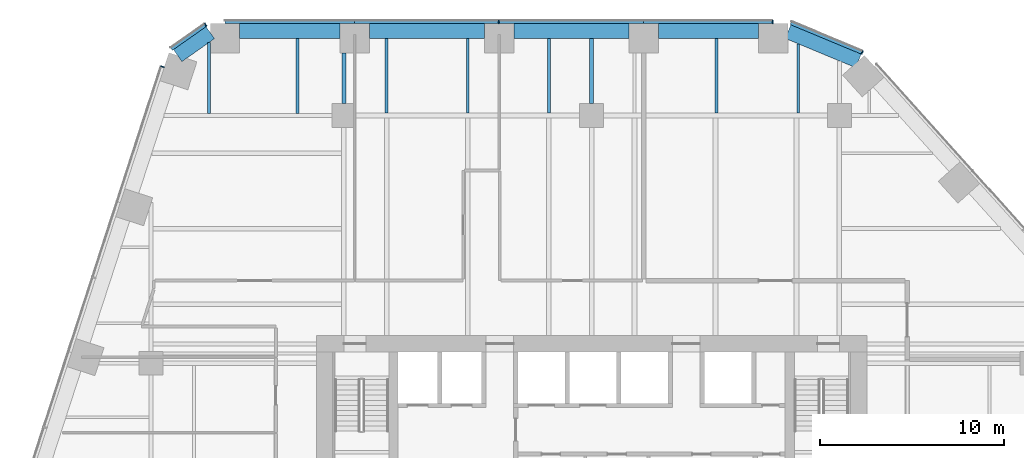
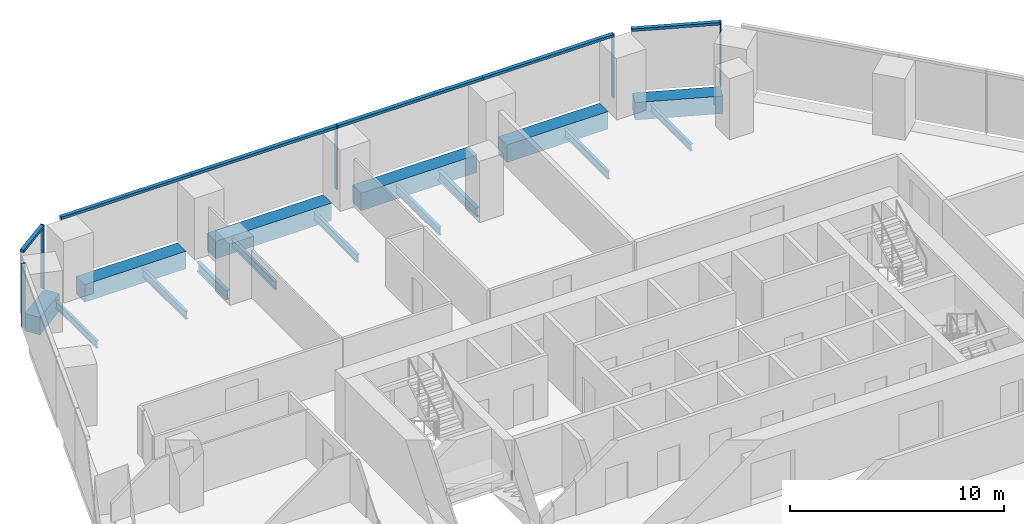
# One storey, part 12 of 19: 15 beams, 11 members, 4 elements without a shape of their own.
"""IFC4 building model written with IfcOpenShell, lengths in metres."""

from ifc_helpers import new_model, si_unit, direction, frame, origin, origin_2d, place, context, subcontext, project, spatial, rectangle, i_section, extrude, material, layer, layer_set, material_profile, profile_set, type_object, element, aggregate, save


model = new_model("IFC4")

# Units and contexts
model_context = context("Model", 3, precision=1e-05, world=origin(), true_north=direction((0.0, 1.0)))
body_context = subcontext(model_context, "Body", "Model", "MODEL_VIEW")
ifc_project = project(units=[si_unit("LENGTHUNIT", "METRE"), si_unit("AREAUNIT", "SQUARE_METRE"), si_unit("VOLUMEUNIT", "CUBIC_METRE"), si_unit("PLANEANGLEUNIT", "RADIAN"), si_unit("MASSUNIT", "GRAM", prefix="KILO")], contexts=[model_context])

# Site, building, storey
site_placement = place(None, origin())
site = spatial("IfcSite", under=ifc_project, at=site_placement, CompositionType="ELEMENT")
building_placement = place(site_placement, origin())
building = spatial("IfcBuilding", under=site, at=building_placement, Name="Isthmus Gate Tower", CompositionType="ELEMENT")
storey_placement = place(building_placement, frame((0.0, 0.0, 95.25)))
storey = spatial("IfcBuildingStorey", under=building, at=storey_placement, Name="L22", CompositionType="ELEMENT", Elevation=95.25)

# Curtain wall, members
ifc_material_1 = material(Name="Aluminium, pale champagne anodised", Category="aluminium")
ifc_layer = layer(ifc_material_1, 0.199951171875)
ifc_layer_set = layer_set([ifc_layer], Name="CW-1 UNITISED CURTAIN WALL 200 DEEP")
curtain_wall_type = type_object("IfcCurtainWallType", Name="CW-1 UNITISED CURTAIN WALL 200 DEEP", PredefinedType="NOTDEFINED", material=ifc_layer_set)
curtain_wall_1_placement = place(storey_placement, origin())
curtain_wall_1 = element("IfcCurtainWall", 1, at=curtain_wall_1_placement, inside=storey, type_object=curtain_wall_type, Name="CW-1 N L22", PredefinedType="NOTDEFINED")
ifc_material_2 = material(Name="Aluminium, pale champagne anodised", Category="aluminium")
ifc_material_profile_1 = material_profile(ifc_material_2, rectangle(XDim=0.06005859375, YDim=0.199951171875, at=origin_2d()), Name="60x200")
ifc_profile_set_1 = profile_set([ifc_material_profile_1], Name="Aluminium, pale champagne anodised")
member_type_1 = type_object("IfcMemberType", Name="CW-1 MULLION 60 X 200", PredefinedType="MULLION", material=ifc_profile_set_1)
member_1_placement = place(storey_placement, frame((9.871826171875, 32.10009765625, 0.0), z_axis=(0.0, 0.0, 1.0), x_axis=(-1.0, 0.0, 0.0)))
member_1 = element("IfcMember", 2, at=member_1_placement, type_object=member_type_1, Name="CW-1 mullion", PredefinedType="MULLION", context=body_context, shape_type="SweptSolid", body=[
    extrude(rectangle(XDim=0.06005859375, YDim=0.199951171875, at=origin_2d()), origin(), (0.0, 0.0, 1.0), 3.64990234375),
])
member_2_placement = place(storey_placement, frame((-5.067138671875, 32.10009765625, 0.0), z_axis=(0.0, 0.0, 1.0), x_axis=(-1.0, 0.0, 0.0)))
member_2 = element("IfcMember", 3, at=member_2_placement, type_object=member_type_1, Name="CW-1 mullion", PredefinedType="MULLION", context=body_context, shape_type="SweptSolid", body=[
    extrude(rectangle(XDim=0.06005859375, YDim=0.199951171875, at=origin_2d()), origin(), (0.0, 0.0, 1.0), 3.64990234375),
])

# Curtain wall, member
curtain_wall_2_placement = place(storey_placement, origin())
curtain_wall_2 = element("IfcCurtainWall", 4, at=curtain_wall_2_placement, inside=storey, type_object=curtain_wall_type, Name="CW-1 N-NW L22", PredefinedType="NOTDEFINED")
member_3_placement = place(storey_placement, frame((-21.031005859375, 31.943115234375, 0.0), z_axis=(0.0, 0.0, 1.0), x_axis=(-0.81785959165, -0.57541783805, 0.0)))
member_3 = element("IfcMember", 5, at=member_3_placement, type_object=member_type_1, Name="CW-1 mullion", PredefinedType="MULLION", context=body_context, shape_type="SweptSolid", body=[
    extrude(rectangle(XDim=0.06005859375, YDim=0.199951171875, at=origin_2d()), origin(), (0.0, 0.0, 1.0), 3.64990234375),
])

curtain_wall_3_placement = place(storey_placement, origin())
curtain_wall_3 = element("IfcCurtainWall", 6, at=curtain_wall_3_placement, inside=storey, type_object=curtain_wall_type, Name="CW-1 NW L22", PredefinedType="NOTDEFINED")
member_4_placement = place(storey_placement, frame((-23.380615234375, 29.656494140625, 0.0), z_axis=(0.0, 0.0, 1.0), x_axis=(-0.309016994375, -0.951056516295, 0.0)))
member_4 = element("IfcMember", 7, at=member_4_placement, type_object=member_type_1, Name="CW-1 mullion", PredefinedType="MULLION", context=body_context, shape_type="SweptSolid", body=[
    extrude(rectangle(XDim=0.06005859375, YDim=0.199951171875, at=origin_2d()), origin(), (0.0, 0.0, 1.0), 3.64990234375),
])
aggregate(curtain_wall_3, [member_4])

curtain_wall_4_placement = place(storey_placement, origin())
curtain_wall_4 = element("IfcCurtainWall", 8, at=curtain_wall_4_placement, inside=storey, type_object=curtain_wall_type, Name="CW-1 NE-N L22", PredefinedType="NOTDEFINED")
member_5_placement = place(storey_placement, frame((14.744140625, 30.427490234375, 0.0), z_axis=(0.0, 0.0, 1.0), x_axis=(-0.923353128387, 0.383951820282, 0.0)))
member_5 = element("IfcMember", 9, at=member_5_placement, type_object=member_type_1, Name="CW-1 mullion", PredefinedType="MULLION", context=body_context, shape_type="SweptSolid", body=[
    extrude(rectangle(XDim=0.06005859375, YDim=0.199951171875, at=origin_2d()), origin(), (0.0, 0.0, 1.0), 3.64990234375),
])

# Member
ifc_material_3 = material(Name="Aluminium, pale champagne anodised", Category="aluminium")
ifc_material_profile_2 = material_profile(ifc_material_3, rectangle(XDim=0.199951171875, YDim=0.14990234375, at=origin_2d()), Name="200x150")
ifc_profile_set_2 = profile_set([ifc_material_profile_2], Name="Aluminium, pale champagne anodised")
member_type_2 = type_object("IfcMemberType", Name="CW-1 TRANSOM 200 X 150", PredefinedType="USERDEFINED", material=ifc_profile_set_2)
member_6_placement = place(storey_placement, frame((9.841796875, 32.10009765625, 3.574951171875), z_axis=(-1.0, 0.0, 0.0), x_axis=(0.0, -1.0, 0.0)))
member_6 = element("IfcMember", 10, at=member_6_placement, type_object=member_type_2, Name="CW-1 transom", ObjectType="TRANSOM", PredefinedType="USERDEFINED", context=body_context, shape_type="SweptSolid", body=[
    extrude(rectangle(XDim=0.199951171875, YDim=0.14990234375, at=origin_2d()), origin(), (0.0, 0.0, 1.0), 7.009521484375),
])

member_7_placement = place(storey_placement, frame((2.832275390625, 32.10009765625, 3.574951171875), z_axis=(-1.0, 0.0, 0.0), x_axis=(0.0, -1.0, 0.0)))
member_7 = element("IfcMember", 11, at=member_7_placement, type_object=member_type_2, Name="CW-1 transom", ObjectType="TRANSOM", PredefinedType="USERDEFINED", context=body_context, shape_type="SweptSolid", body=[
    extrude(rectangle(XDim=0.199951171875, YDim=0.14990234375, at=origin_2d()), origin(), (0.0, 0.0, 1.0), 7.869384765625),
])

member_8_placement = place(storey_placement, frame((-5.09716796875, 32.10009765625, 3.574951171875), z_axis=(-1.0, 0.0, 0.0), x_axis=(0.0, -1.0, 0.0)))
member_8 = element("IfcMember", 12, at=member_8_placement, type_object=member_type_2, Name="CW-1 transom", ObjectType="TRANSOM", PredefinedType="USERDEFINED", context=body_context, shape_type="SweptSolid", body=[
    extrude(rectangle(XDim=0.199951171875, YDim=0.14990234375, at=origin_2d()), origin(), (0.0, 0.0, 1.0), 7.8095703125),
])

member_9_placement = place(storey_placement, frame((-12.90673828125, 32.10009765625, 3.574951171875), z_axis=(-1.0, 0.0, 0.0), x_axis=(0.0, -1.0, 0.0)))
member_9 = element("IfcMember", 13, at=member_9_placement, type_object=member_type_2, Name="CW-1 transom", ObjectType="TRANSOM", PredefinedType="USERDEFINED", context=body_context, shape_type="SweptSolid", body=[
    extrude(rectangle(XDim=0.199951171875, YDim=0.14990234375, at=origin_2d()), origin(), (0.0, 0.0, 1.0), 7.069580078125),
])

aggregate(curtain_wall_1, [member_1, member_6, member_7, member_2, member_8, member_9])

member_10_placement = place(storey_placement, frame((-21.055419921875, 31.92578125, 3.574951171875), z_axis=(-0.817868595604, -0.575405040233, 0.0), x_axis=(0.575405040233, -0.817868595604, 0.0)))
member_10 = element("IfcMember", 14, at=member_10_placement, type_object=member_type_2, Name="CW-1 transom", ObjectType="TRANSOM", PredefinedType="USERDEFINED", context=body_context, shape_type="SweptSolid", body=[
    extrude(rectangle(XDim=0.199951171875, YDim=0.14990234375, at=origin_2d()), origin(), (0.0, 0.0, 1.0), 2.258544921875),
])

aggregate(curtain_wall_2, [member_3, member_10])

member_11_placement = place(storey_placement, frame((14.716552734375, 30.43896484375, 3.574951171875), z_axis=(-0.923358236369, 0.383939536033, 0.0), x_axis=(-0.383939536033, -0.923358236369, 0.0)))
member_11 = element("IfcMember", 15, at=member_11_placement, type_object=member_type_2, Name="CW-1 transom", ObjectType="TRANSOM", PredefinedType="USERDEFINED", context=body_context, shape_type="SweptSolid", body=[
    extrude(rectangle(XDim=0.199951171875, YDim=0.14990234375, at=origin_2d()), origin(), (0.0, 0.0, 1.0), 4.181640625),
])

aggregate(curtain_wall_4, [member_5, member_11])

# Beams
ifc_material_4 = material(Name="Concrete f'c 70 MPa", Category="concrete")
ifc_material_profile_3 = material_profile(ifc_material_4, rectangle(XDim=0.800048828125, YDim=1.0, at=origin_2d()), Name="RC 800X1000")
ifc_profile_set_3 = profile_set([ifc_material_profile_3], Name="Concrete f'c 70 MPa")
beam_type_1 = type_object("IfcBeamType", Name="RC SPANDREL 800 X 1000", PredefinedType="SPANDREL", material=ifc_profile_set_3)
beam_1_placement = place(storey_placement, frame((10.701904296875, 31.56689453125, -0.5), z_axis=(0.923334166719, -0.383997417399, 0.0), x_axis=(0.383997417399, 0.923334166719, 0.0)))
element("IfcBeam", 16, at=beam_1_placement, inside=storey, type_object=beam_type_1, Name="str-spandrel-L22-00", PredefinedType="SPANDREL", context=body_context, shape_type="SweptSolid", body=[
    extrude(rectangle(XDim=0.800048828125, YDim=1.0, at=origin_2d()), origin(), (0.0, 0.0, 1.0), 4.15234375),
])
beam_2_placement = place(storey_placement, frame((-22.553466796875, 30.260498046875, -0.5), z_axis=(0.817857331203, 0.575421050882, 0.0), x_axis=(-0.575421050882, 0.817857331203, 0.0)))
element("IfcBeam", 17, at=beam_2_placement, inside=storey, type_object=beam_type_1, Name="str-spandrel-L22-22", PredefinedType="SPANDREL", context=body_context, shape_type="SweptSolid", body=[
    extrude(rectangle(XDim=0.800048828125, YDim=1.0, at=origin_2d()), origin(), (0.0, 0.0, 1.0), 2.173095703125),
])
beam_3_placement = place(storey_placement, frame((-19.17626953125, 31.60009765625, -0.5), z_axis=(1.0, 0.0, 0.0), x_axis=(0.0, 1.0, 0.0)))
element("IfcBeam", 18, at=beam_3_placement, inside=storey, type_object=beam_type_1, Name="str-spandrel-L22-23", PredefinedType="SPANDREL", context=body_context, shape_type="SweptSolid", body=[
    extrude(rectangle(XDim=0.800048828125, YDim=1.0, at=origin_2d()), origin(), (0.0, 0.0, 1.0), 5.469482421875),
])
for number, where, z_axis, x_axis, name in (
    (19, (-12.106689453125, 31.60009765625, -0.5), (1.0, 0.0, 0.0), (0.0, 1.0, 0.0), "str-spandrel-L22-24"),
    (20, (-4.2373046875, 31.60009765625, -0.5), (1.0, 0.0, 0.0), (0.0, 1.0, 0.0), "str-spandrel-L22-25"),
):
    element("IfcBeam", number, at=place(storey_placement, frame(where, z_axis=z_axis, x_axis=x_axis)), inside=storey, type_object=beam_type_1, Name=name, PredefinedType="SPANDREL", context=body_context, shape_type="SweptSolid", body=[
        extrude(rectangle(XDim=0.800048828125, YDim=1.0, at=origin_2d()), origin(), (0.0, 0.0, 1.0), 6.26953125),
    ])
beam_4_placement = place(storey_placement, frame((3.63232421875, 31.60009765625, -0.5), z_axis=(1.0, 0.0, 0.0), x_axis=(0.0, 1.0, 0.0)))
element("IfcBeam", 21, at=beam_4_placement, inside=storey, type_object=beam_type_1, Name="str-spandrel-L22-26", PredefinedType="SPANDREL", context=body_context, shape_type="SweptSolid", body=[
    extrude(rectangle(XDim=0.800048828125, YDim=1.0, at=origin_2d()), origin(), (0.0, 0.0, 1.0), 5.469482421875),
])
ifc_material_5 = material(Name="Structural steel ASTM A992 Gr 50", Category="steel")
ifc_material_profile_4 = material_profile(ifc_material_5, i_section(OverallWidth=0.1396484375, OverallDepth=0.4033203125, WebThickness=0.00634765625, FlangeThickness=0.010986328125, at=origin_2d()), Name="W16X31")
ifc_profile_set_4 = profile_set([ifc_material_profile_4], Name="Structural steel ASTM A992 Gr 50")
beam_type_2 = type_object("IfcBeamType", Name="STEEL FLOOR BEAM W16X31", PredefinedType="JOIST", material=ifc_profile_set_4)
beam_5_placement = place(storey_placement, frame((-20.846435546875, 27.1142578125, -0.3515625), z_axis=(0.0, 1.0, 0.0), x_axis=(-1.0, 0.0, 0.0)))
element("IfcBeam", 22, at=beam_5_placement, inside=storey, type_object=beam_type_2, Name="str-beam-L22-09-00", PredefinedType="JOIST", context=body_context, shape_type="SweptSolid", body=[
    extrude(i_section(OverallWidth=0.1396484375, OverallDepth=0.4033203125, WebThickness=0.00634765625, FlangeThickness=0.010986328125, at=origin_2d()), origin(), (0.0, 0.0, 1.0), 3.858154296875),
])
beam_6_placement = place(storey_placement, frame((11.267578125, 27.1318359375, -0.3515625), z_axis=(0.0, 1.0, 0.0), x_axis=(-1.0, 0.0, 0.0)))
element("IfcBeam", 23, at=beam_6_placement, inside=storey, type_object=beam_type_2, Name="str-beam-L22-20-02", PredefinedType="JOIST", context=body_context, shape_type="SweptSolid", body=[
    extrude(i_section(OverallWidth=0.1396484375, OverallDepth=0.4033203125, WebThickness=0.00634765625, FlangeThickness=0.010986328125, at=origin_2d()), origin(), (0.0, 0.0, 1.0), 3.7666015625),
])
ifc_material_6 = material(Name="Structural steel ASTM A992 Gr 50", Category="steel")
ifc_material_profile_5 = material_profile(ifc_material_6, i_section(OverallWidth=0.15234375, OverallDepth=0.45068359375, WebThickness=0.0078125, FlangeThickness=0.010986328125, at=origin_2d()), Name="W18X35")
ifc_profile_set_5 = profile_set([ifc_material_profile_5], Name="Structural steel ASTM A992 Gr 50")
beam_type_3 = type_object("IfcBeamType", Name="STEEL FLOOR BEAM W18X35", PredefinedType="JOIST", material=ifc_profile_set_5)
beam_7_placement = place(storey_placement, frame((-16.0185546875, 27.1142578125, -0.37548828125), z_axis=(0.0, 1.0, 0.0), x_axis=(-1.0, 0.0, 0.0)))
element("IfcBeam", 24, at=beam_7_placement, inside=storey, type_object=beam_type_3, Name="str-beam-L22-09-01", PredefinedType="JOIST", context=body_context, shape_type="SweptSolid", body=[
    extrude(i_section(OverallWidth=0.15234375, OverallDepth=0.45068359375, WebThickness=0.0078125, FlangeThickness=0.010986328125, at=origin_2d()), origin(), (0.0, 0.0, 1.0), 4.085693359375),
])
for number, where, z_axis, x_axis, name in (
    (25, (-11.18017578125, 27.1318359375, -0.37548828125), (0.0, 1.0, 0.0), (-1.0, 0.0, 0.0), "str-beam-L22-15-00"),
    (26, (-6.75, 27.1318359375, -0.37548828125), (0.0, 1.0, 0.0), (-1.0, 0.0, 0.0), "str-beam-L22-15-01"),
    (27, (-2.31982421875, 27.1318359375, -0.37548828125), (0.0, 1.0, 0.0), (-1.0, 0.0, 0.0), "str-beam-L22-15-02"),
    (28, (6.802490234375, 27.1318359375, -0.37548828125), (0.0, 1.0, 0.0), (-1.0, 0.0, 0.0), "str-beam-L22-20-01"),
):
    element("IfcBeam", number, at=place(storey_placement, frame(where, z_axis=z_axis, x_axis=x_axis)), inside=storey, type_object=beam_type_3, Name=name, PredefinedType="JOIST", context=body_context, shape_type="SweptSolid", body=[
        extrude(i_section(OverallWidth=0.15234375, OverallDepth=0.45068359375, WebThickness=0.0078125, FlangeThickness=0.010986328125, at=origin_2d()), origin(), (0.0, 0.0, 1.0), 4.068115234375),
    ])
ifc_material_7 = material(Name="Structural steel ASTM A992 Gr 50", Category="steel")
ifc_material_profile_6 = material_profile(ifc_material_7, i_section(OverallWidth=0.20947265625, OverallDepth=0.533447265625, WebThickness=0.009521484375, FlangeThickness=0.015869140625, at=origin_2d()), Name="W21X62")
ifc_profile_set_6 = profile_set([ifc_material_profile_6], Name="Structural steel ASTM A992 Gr 50")
beam_type_4 = type_object("IfcBeamType", Name="STEEL GIRDER W21X62", PredefinedType="BEAM", material=ifc_profile_set_6)
beam_8_placement = place(storey_placement, frame((-13.5, 27.64990234375, -0.416748046875), z_axis=(0.0, 1.0, 0.0), x_axis=(-1.0, 0.0, 0.0)))
element("IfcBeam", 29, at=beam_8_placement, inside=storey, type_object=beam_type_4, Name="str-girder-L22-28", PredefinedType="BEAM", context=body_context, shape_type="SweptSolid", body=[
    extrude(i_section(OverallWidth=0.20947265625, OverallDepth=0.533447265625, WebThickness=0.009521484375, FlangeThickness=0.015869140625, at=origin_2d()), origin(), (0.0, 0.0, 1.0), 2.75),
])
beam_9_placement = place(storey_placement, frame((0.0, 27.64990234375, -0.416748046875), z_axis=(0.0, 1.0, 0.0), x_axis=(-1.0, 0.0, 0.0)))
element("IfcBeam", 30, at=beam_9_placement, inside=storey, type_object=beam_type_4, Name="str-girder-L22-31", PredefinedType="BEAM", context=body_context, shape_type="SweptSolid", body=[
    extrude(i_section(OverallWidth=0.20947265625, OverallDepth=0.533447265625, WebThickness=0.009521484375, FlangeThickness=0.015869140625, at=origin_2d()), origin(), (0.0, 0.0, 1.0), 3.550048828125),
])

save(model, "model.ifc")
